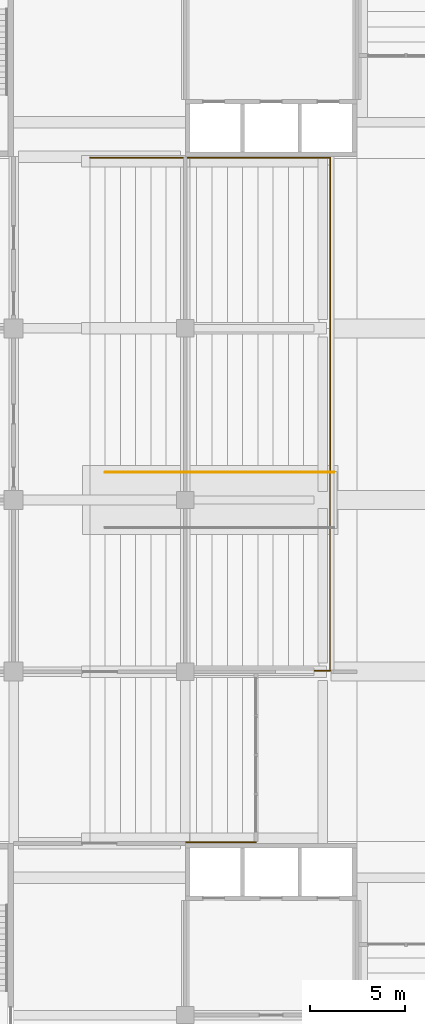
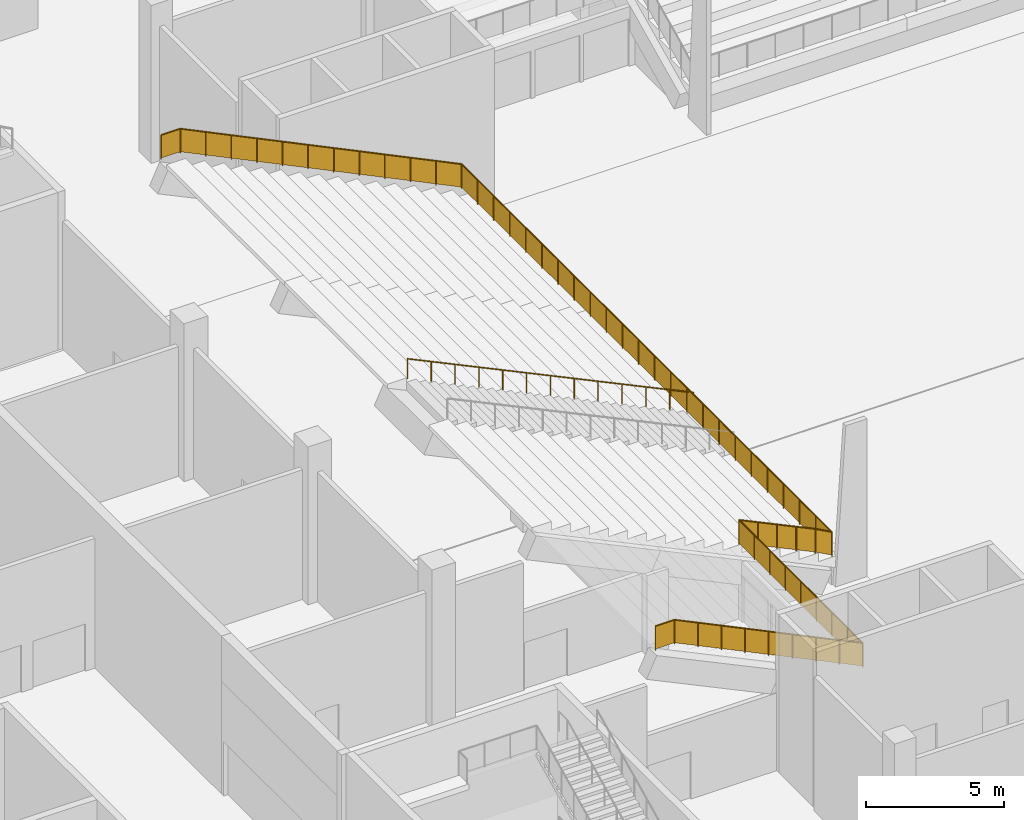
# One storey, part 66 of 92: 2 railings.
"""IFC4 building model written with IfcOpenShell, lengths in metres."""

from ifc_helpers import new_model, si_unit, direction, frame, origin, origin_2d, place, context, subcontext, project, spatial, polyline, circle, outline, extrude, material, type_object, element, save


model = new_model("IFC4")

# Units and contexts
model_context = context("Model", 3, precision=1e-05, world=origin(), true_north=direction((0.0, 1.0)))
body_context = subcontext(model_context, "Body", "Model", "MODEL_VIEW")
ifc_project = project(units=[si_unit("LENGTHUNIT", "METRE"), si_unit("AREAUNIT", "SQUARE_METRE"), si_unit("VOLUMEUNIT", "CUBIC_METRE"), si_unit("PLANEANGLEUNIT", "RADIAN"), si_unit("MASSUNIT", "GRAM", prefix="KILO")], contexts=[model_context])

# Site, building, storey
site_placement = place(None, origin())
site = spatial("IfcSite", under=ifc_project, at=site_placement, CompositionType="ELEMENT")
building_placement = place(site_placement, origin())
building = spatial("IfcBuilding", under=site, at=building_placement, Name="Silverbay Arena", CompositionType="ELEMENT")
storey_placement = place(building_placement, origin())
storey = spatial("IfcBuildingStorey", under=building, at=storey_placement, Name="L00", CompositionType="ELEMENT", Elevation=0.0)

# Railings
ifc_material_1 = material(Name="Stainless steel", Category="steel")
railing_type_1 = type_object("IfcRailingType", Name="Crowd barrier 1100", PredefinedType="GUARDRAIL", material=ifc_material_1)
railing_1_placement = place(storey_placement, frame((85.0, 63.050048828125, 7.0)))
element("IfcRailing", 1, at=railing_1_placement, inside=storey, type_object=railing_type_1, Name="Crowd barrier West stand lower tier", PredefinedType="GUARDRAIL", context=body_context, shape_type="SweptSolid", body=[
    extrude(circle(Radius=0.02392578125, at=origin_2d()), frame((0.0, 0.0, 1.076171875), z_axis=(1.0, 0.0, 0.0), x_axis=(0.0, 1.0, 0.0)), (0.0, 0.0, 1.0), 0.800048828125),
    extrude(outline(polyline([(-0.008056640625, 0.050048828125), (0.80810546875, 0.050048828125), (0.80810546875, 1.052978515625), (-0.008056640625, 1.052978515625), (-0.008056640625, 0.050048828125)])), frame((0.0, 0.0029296875, 0.0), z_axis=(0.0, -1.0, 0.0), x_axis=(1.0, 0.0, 0.0)), (0.0, 0.0, 1.0), 0.006103515625),
    extrude(circle(Radius=0.02392578125, at=origin_2d()), frame((0.800048828125, 0.0, 1.076171875), z_axis=(0.901162472731, 0.0, -0.433481484889), x_axis=(0.0, 1.0, 0.0)), (0.0, 0.0, 1.0), 8.766357421875),
    extrude(outline(polyline([(-0.008056640625, 0.053955078125), (0.99560546875, -0.428955078125), (0.99560546875, 0.57421875), (-0.008056640625, 1.056884765625), (-0.008056640625, 0.053955078125)])), frame((0.800048828125, 0.0029296875, 0.0), z_axis=(0.0, -1.0, 0.0), x_axis=(1.0, 0.0, 0.0)), (0.0, 0.0, 1.0), 0.006103515625),
    extrude(outline(polyline([(-0.008056640625, -0.421142578125), (0.99560546875, -0.90380859375), (0.99560546875, 0.09912109375), (-0.008056640625, 0.581787109375), (-0.008056640625, -0.421142578125)])), frame((1.78759765625, 0.0029296875, 0.0), z_axis=(0.0, -1.0, 0.0), x_axis=(1.0, 0.0, 0.0)), (0.0, 0.0, 1.0), 0.006103515625),
    extrude(outline(polyline([(-0.008056640625, -0.896240234375), (0.99560546875, -1.37890625), (0.99560546875, -0.3759765625), (-0.008056640625, 0.10693359375), (-0.008056640625, -0.896240234375)])), frame((2.77490234375, 0.0029296875, 0.0), z_axis=(0.0, -1.0, 0.0), x_axis=(1.0, 0.0, 0.0)), (0.0, 0.0, 1.0), 0.006103515625),
    extrude(outline(polyline([(-0.008056640625, -1.37109375), (0.99560546875, -1.853759765625), (0.99560546875, -0.850830078125), (-0.008056640625, -0.3681640625), (-0.008056640625, -1.37109375)])), frame((3.762451171875, 0.0029296875, 0.0), z_axis=(0.0, -1.0, 0.0), x_axis=(1.0, 0.0, 0.0)), (0.0, 0.0, 1.0), 0.006103515625),
    extrude(outline(polyline([(-0.008056640625, -1.84619140625), (0.99560546875, -2.328857421875), (0.99560546875, -1.325927734375), (-0.008056640625, -0.84326171875), (-0.008056640625, -1.84619140625)])), frame((4.75, 0.0029296875, 0.0), z_axis=(0.0, -1.0, 0.0), x_axis=(1.0, 0.0, 0.0)), (0.0, 0.0, 1.0), 0.006103515625),
    extrude(outline(polyline([(-0.008056640625, -2.3212890625), (0.99560546875, -2.803955078125), (0.99560546875, -1.80078125), (-0.008056640625, -1.318115234375), (-0.008056640625, -2.3212890625)])), frame((5.737548828125, 0.0029296875, 0.0), z_axis=(0.0, -1.0, 0.0), x_axis=(1.0, 0.0, 0.0)), (0.0, 0.0, 1.0), 0.006103515625),
    extrude(outline(polyline([(-0.008056640625, -2.796142578125), (0.99560546875, -3.27880859375), (0.99560546875, -2.27587890625), (-0.008056640625, -1.793212890625), (-0.008056640625, -2.796142578125)])), frame((6.72509765625, 0.0029296875, 0.0), z_axis=(0.0, -1.0, 0.0), x_axis=(1.0, 0.0, 0.0)), (0.0, 0.0, 1.0), 0.006103515625),
    extrude(outline(polyline([(-0.008056640625, -3.271240234375), (0.99560546875, -3.75390625), (0.99560546875, -2.7509765625), (-0.008056640625, -2.268310546875), (-0.008056640625, -3.271240234375)])), frame((7.71240234375, 0.0029296875, 0.0), z_axis=(0.0, -1.0, 0.0), x_axis=(1.0, 0.0, 0.0)), (0.0, 0.0, 1.0), 0.006103515625),
    extrude(circle(Radius=0.02392578125, at=origin_2d()), frame((8.699951171875, 0.0, -2.72412109375), z_axis=(0.0, 1.0, 0.0), x_axis=(-1.0, 0.0, 0.0)), (0.0, 0.0, 1.0), 9.0),
    extrude(outline(polyline([(-0.008056640625, -3.75), (1.133056640625, -3.75), (1.133056640625, -2.7470703125), (-0.008056640625, -2.7470703125), (-0.008056640625, -3.75)])), frame((8.697021484375, 0.0, 0.0), z_axis=(1.0, 0.0, 0.0), x_axis=(0.0, 1.0, 0.0)), (0.0, 0.0, 1.0), 0.006103515625),
    extrude(outline(polyline([(-0.008056640625, -3.75), (1.133056640625, -3.75), (1.133056640625, -2.7470703125), (-0.008056640625, -2.7470703125), (-0.008056640625, -3.75)])), frame((8.697021484375, 1.125, 0.0), z_axis=(1.0, 0.0, 0.0), x_axis=(0.0, 1.0, 0.0)), (0.0, 0.0, 1.0), 0.006103515625),
    extrude(outline(polyline([(-0.008056640625, -3.75), (1.133056640625, -3.75), (1.133056640625, -2.7470703125), (-0.008056640625, -2.7470703125), (-0.008056640625, -3.75)])), frame((8.697021484375, 2.25, 0.0), z_axis=(1.0, 0.0, 0.0), x_axis=(0.0, 1.0, 0.0)), (0.0, 0.0, 1.0), 0.006103515625),
    extrude(outline(polyline([(-0.008056640625, -3.75), (1.133056640625, -3.75), (1.133056640625, -2.7470703125), (-0.008056640625, -2.7470703125), (-0.008056640625, -3.75)])), frame((8.697021484375, 3.375, 0.0), z_axis=(1.0, 0.0, 0.0), x_axis=(0.0, 1.0, 0.0)), (0.0, 0.0, 1.0), 0.006103515625),
    extrude(outline(polyline([(-0.008056640625, -3.75), (1.133056640625, -3.75), (1.133056640625, -2.7470703125), (-0.008056640625, -2.7470703125), (-0.008056640625, -3.75)])), frame((8.697021484375, 4.5, 0.0), z_axis=(1.0, 0.0, 0.0), x_axis=(0.0, 1.0, 0.0)), (0.0, 0.0, 1.0), 0.006103515625),
    extrude(outline(polyline([(-0.008056640625, -3.75), (1.133056640625, -3.75), (1.133056640625, -2.7470703125), (-0.008056640625, -2.7470703125), (-0.008056640625, -3.75)])), frame((8.697021484375, 5.625, 0.0), z_axis=(1.0, 0.0, 0.0), x_axis=(0.0, 1.0, 0.0)), (0.0, 0.0, 1.0), 0.006103515625),
    extrude(outline(polyline([(-0.008056640625, -3.75), (1.133056640625, -3.75), (1.133056640625, -2.7470703125), (-0.008056640625, -2.7470703125), (-0.008056640625, -3.75)])), frame((8.697021484375, 6.75, 0.0), z_axis=(1.0, 0.0, 0.0), x_axis=(0.0, 1.0, 0.0)), (0.0, 0.0, 1.0), 0.006103515625),
    extrude(outline(polyline([(-0.008056640625, -3.75), (1.133056640625, -3.75), (1.133056640625, -2.7470703125), (-0.008056640625, -2.7470703125), (-0.008056640625, -3.75)])), frame((8.697021484375, 7.875, 0.0), z_axis=(1.0, 0.0, 0.0), x_axis=(0.0, 1.0, 0.0)), (0.0, 0.0, 1.0), 0.006103515625),
    extrude(circle(Radius=0.02392578125, at=origin_2d()), frame((8.699951171875, 9.0, -2.72412109375), z_axis=(0.903338924758, 0.0, -0.428927484566), x_axis=(0.0, 1.0, 0.0)), (0.0, 0.0, 1.0), 0.8857421875),
    extrude(outline(polyline([(-0.008056640625, -3.746337890625), (0.80810546875, -4.1337890625), (0.80810546875, -3.130615234375), (-0.008056640625, -2.7431640625), (-0.008056640625, -3.746337890625)])), frame((8.699951171875, 9.0029296875, 0.0), z_axis=(0.0, -1.0, 0.0), x_axis=(1.0, 0.0, 0.0)), (0.0, 0.0, 1.0), 0.006103515625),
    extrude(circle(Radius=0.02392578125, at=origin_2d()), frame((9.5, 9.0, -3.10400390625), z_axis=(0.903232100134, 0.0, -0.429152389353), x_axis=(0.0, 1.0, 0.0)), (0.0, 0.0, 1.0), 0.8857421875),
    extrude(outline(polyline([(-0.008056640625, -4.126220703125), (0.80810546875, -4.513916015625), (0.80810546875, -3.5107421875), (-0.008056640625, -3.123046875), (-0.008056640625, -4.126220703125)])), frame((9.5, 9.0029296875, 0.0), z_axis=(0.0, -1.0, 0.0), x_axis=(1.0, 0.0, 0.0)), (0.0, 0.0, 1.0), 0.006103515625),
    extrude(circle(Radius=0.02392578125, at=origin_2d()), frame((10.300048828125, 9.0, -3.48388671875), z_axis=(0.903338924758, 0.0, -0.428927484566), x_axis=(0.0, 1.0, 0.0)), (0.0, 0.0, 1.0), 0.8857421875),
    extrude(outline(polyline([(-0.008056640625, -4.50634765625), (0.80810546875, -4.893798828125), (0.80810546875, -3.890625), (-0.008056640625, -3.503173828125), (-0.008056640625, -4.50634765625)])), frame((10.300048828125, 9.0029296875, 0.0), z_axis=(0.0, -1.0, 0.0), x_axis=(1.0, 0.0, 0.0)), (0.0, 0.0, 1.0), 0.006103515625),
    extrude(circle(Radius=0.02392578125, at=origin_2d()), frame((11.10009765625, 9.0, -3.86376953125), z_axis=(0.903181318322, 0.0, -0.429259252939), x_axis=(0.0, 1.0, 0.0)), (0.0, 0.0, 1.0), 0.885498046875),
    extrude(outline(polyline([(-0.008056640625, -4.88623046875), (0.807861328125, -5.27392578125), (0.807861328125, -4.270751953125), (-0.008056640625, -3.883056640625), (-0.008056640625, -4.88623046875)])), frame((11.10009765625, 9.0029296875, 0.0), z_axis=(0.0, -1.0, 0.0), x_axis=(1.0, 0.0, 0.0)), (0.0, 0.0, 1.0), 0.006103515625),
    extrude(circle(Radius=0.02392578125, at=origin_2d()), frame((11.89990234375, 9.0, -4.244140625), z_axis=(0.878970893621, 0.0, -0.476875422062), x_axis=(0.0, 1.0, 0.0)), (0.0, 0.0, 1.0), 0.796630859375),
    extrude(outline(polyline([(-0.008056640625, -5.265625), (0.708251953125, -5.654296875), (0.708251953125, -4.6513671875), (-0.008056640625, -4.2626953125), (-0.008056640625, -5.265625)])), frame((11.89990234375, 9.0029296875, 0.0), z_axis=(0.0, -1.0, 0.0), x_axis=(1.0, 0.0, 0.0)), (0.0, 0.0, 1.0), 0.006103515625),
    extrude(circle(Radius=0.02392578125, at=origin_2d()), frame((12.60009765625, 9.0, -4.6240234375), z_axis=(0.0, 1.0, 0.0), x_axis=(-1.0, 0.0, 0.0)), (0.0, 0.0, 1.0), 26.89990234375),
    extrude(outline(polyline([(-0.008056640625, -5.64990234375), (1.177490234375, -5.64990234375), (1.177490234375, -4.64697265625), (-0.008056640625, -4.64697265625), (-0.008056640625, -5.64990234375)])), frame((12.59716796875, 9.0, 0.0), z_axis=(1.0, 0.0, 0.0), x_axis=(0.0, 1.0, 0.0)), (0.0, 0.0, 1.0), 0.006103515625),
    extrude(outline(polyline([(-0.008056640625, -5.64990234375), (1.177490234375, -5.64990234375), (1.177490234375, -4.64697265625), (-0.008056640625, -4.64697265625), (-0.008056640625, -5.64990234375)])), frame((12.59716796875, 10.169677734375, 0.0), z_axis=(1.0, 0.0, 0.0), x_axis=(0.0, 1.0, 0.0)), (0.0, 0.0, 1.0), 0.006103515625),
    extrude(outline(polyline([(-0.008056640625, -5.64990234375), (1.177490234375, -5.64990234375), (1.177490234375, -4.64697265625), (-0.008056640625, -4.64697265625), (-0.008056640625, -5.64990234375)])), frame((12.59716796875, 11.339111328125, 0.0), z_axis=(1.0, 0.0, 0.0), x_axis=(0.0, 1.0, 0.0)), (0.0, 0.0, 1.0), 0.006103515625),
    extrude(outline(polyline([(-0.008056640625, -5.64990234375), (1.177490234375, -5.64990234375), (1.177490234375, -4.64697265625), (-0.008056640625, -4.64697265625), (-0.008056640625, -5.64990234375)])), frame((12.59716796875, 12.5087890625, 0.0), z_axis=(1.0, 0.0, 0.0), x_axis=(0.0, 1.0, 0.0)), (0.0, 0.0, 1.0), 0.006103515625),
    extrude(outline(polyline([(-0.008056640625, -5.64990234375), (1.177490234375, -5.64990234375), (1.177490234375, -4.64697265625), (-0.008056640625, -4.64697265625), (-0.008056640625, -5.64990234375)])), frame((12.59716796875, 13.67822265625, 0.0), z_axis=(1.0, 0.0, 0.0), x_axis=(0.0, 1.0, 0.0)), (0.0, 0.0, 1.0), 0.006103515625),
    extrude(outline(polyline([(-0.008056640625, -5.64990234375), (1.177490234375, -5.64990234375), (1.177490234375, -4.64697265625), (-0.008056640625, -4.64697265625), (-0.008056640625, -5.64990234375)])), frame((12.59716796875, 14.847900390625, 0.0), z_axis=(1.0, 0.0, 0.0), x_axis=(0.0, 1.0, 0.0)), (0.0, 0.0, 1.0), 0.006103515625),
    extrude(outline(polyline([(-0.008056640625, -5.64990234375), (1.177490234375, -5.64990234375), (1.177490234375, -4.64697265625), (-0.008056640625, -4.64697265625), (-0.008056640625, -5.64990234375)])), frame((12.59716796875, 16.017333984375, 0.0), z_axis=(1.0, 0.0, 0.0), x_axis=(0.0, 1.0, 0.0)), (0.0, 0.0, 1.0), 0.006103515625),
    extrude(outline(polyline([(-0.008056640625, -5.64990234375), (1.177490234375, -5.64990234375), (1.177490234375, -4.64697265625), (-0.008056640625, -4.64697265625), (-0.008056640625, -5.64990234375)])), frame((12.59716796875, 17.18701171875, 0.0), z_axis=(1.0, 0.0, 0.0), x_axis=(0.0, 1.0, 0.0)), (0.0, 0.0, 1.0), 0.006103515625),
    extrude(outline(polyline([(-0.008056640625, -5.64990234375), (1.177490234375, -5.64990234375), (1.177490234375, -4.64697265625), (-0.008056640625, -4.64697265625), (-0.008056640625, -5.64990234375)])), frame((12.59716796875, 18.3564453125, 0.0), z_axis=(1.0, 0.0, 0.0), x_axis=(0.0, 1.0, 0.0)), (0.0, 0.0, 1.0), 0.006103515625),
    extrude(outline(polyline([(-0.008056640625, -5.64990234375), (1.177490234375, -5.64990234375), (1.177490234375, -4.64697265625), (-0.008056640625, -4.64697265625), (-0.008056640625, -5.64990234375)])), frame((12.59716796875, 19.526123046875, 0.0), z_axis=(1.0, 0.0, 0.0), x_axis=(0.0, 1.0, 0.0)), (0.0, 0.0, 1.0), 0.006103515625),
    extrude(outline(polyline([(-0.008056640625, -5.64990234375), (1.177490234375, -5.64990234375), (1.177490234375, -4.64697265625), (-0.008056640625, -4.64697265625), (-0.008056640625, -5.64990234375)])), frame((12.59716796875, 20.695556640625, 0.0), z_axis=(1.0, 0.0, 0.0), x_axis=(0.0, 1.0, 0.0)), (0.0, 0.0, 1.0), 0.006103515625),
    extrude(outline(polyline([(-0.008056640625, -5.64990234375), (1.177490234375, -5.64990234375), (1.177490234375, -4.64697265625), (-0.008056640625, -4.64697265625), (-0.008056640625, -5.64990234375)])), frame((12.59716796875, 21.865234375, 0.0), z_axis=(1.0, 0.0, 0.0), x_axis=(0.0, 1.0, 0.0)), (0.0, 0.0, 1.0), 0.006103515625),
    extrude(outline(polyline([(-0.008056640625, -5.64990234375), (1.177490234375, -5.64990234375), (1.177490234375, -4.64697265625), (-0.008056640625, -4.64697265625), (-0.008056640625, -5.64990234375)])), frame((12.59716796875, 23.03466796875, 0.0), z_axis=(1.0, 0.0, 0.0), x_axis=(0.0, 1.0, 0.0)), (0.0, 0.0, 1.0), 0.006103515625),
    extrude(outline(polyline([(-0.008056640625, -5.64990234375), (1.177490234375, -5.64990234375), (1.177490234375, -4.64697265625), (-0.008056640625, -4.64697265625), (-0.008056640625, -5.64990234375)])), frame((12.59716796875, 24.204345703125, 0.0), z_axis=(1.0, 0.0, 0.0), x_axis=(0.0, 1.0, 0.0)), (0.0, 0.0, 1.0), 0.006103515625),
    extrude(outline(polyline([(-0.008056640625, -5.64990234375), (1.177490234375, -5.64990234375), (1.177490234375, -4.64697265625), (-0.008056640625, -4.64697265625), (-0.008056640625, -5.64990234375)])), frame((12.59716796875, 25.373779296875, 0.0), z_axis=(1.0, 0.0, 0.0), x_axis=(0.0, 1.0, 0.0)), (0.0, 0.0, 1.0), 0.006103515625),
    extrude(outline(polyline([(-0.008056640625, -5.64990234375), (1.177490234375, -5.64990234375), (1.177490234375, -4.64697265625), (-0.008056640625, -4.64697265625), (-0.008056640625, -5.64990234375)])), frame((12.59716796875, 26.54345703125, 0.0), z_axis=(1.0, 0.0, 0.0), x_axis=(0.0, 1.0, 0.0)), (0.0, 0.0, 1.0), 0.006103515625),
    extrude(outline(polyline([(-0.008056640625, -5.64990234375), (1.177490234375, -5.64990234375), (1.177490234375, -4.64697265625), (-0.008056640625, -4.64697265625), (-0.008056640625, -5.64990234375)])), frame((12.59716796875, 27.712890625, 0.0), z_axis=(1.0, 0.0, 0.0), x_axis=(0.0, 1.0, 0.0)), (0.0, 0.0, 1.0), 0.006103515625),
    extrude(outline(polyline([(-0.008056640625, -5.64990234375), (1.177490234375, -5.64990234375), (1.177490234375, -4.64697265625), (-0.008056640625, -4.64697265625), (-0.008056640625, -5.64990234375)])), frame((12.59716796875, 28.882568359375, 0.0), z_axis=(1.0, 0.0, 0.0), x_axis=(0.0, 1.0, 0.0)), (0.0, 0.0, 1.0), 0.006103515625),
    extrude(outline(polyline([(-0.008056640625, -5.64990234375), (1.177490234375, -5.64990234375), (1.177490234375, -4.64697265625), (-0.008056640625, -4.64697265625), (-0.008056640625, -5.64990234375)])), frame((12.59716796875, 30.052001953125, 0.0), z_axis=(1.0, 0.0, 0.0), x_axis=(0.0, 1.0, 0.0)), (0.0, 0.0, 1.0), 0.006103515625),
    extrude(outline(polyline([(-0.008056640625, -5.64990234375), (1.177490234375, -5.64990234375), (1.177490234375, -4.64697265625), (-0.008056640625, -4.64697265625), (-0.008056640625, -5.64990234375)])), frame((12.59716796875, 31.2216796875, 0.0), z_axis=(1.0, 0.0, 0.0), x_axis=(0.0, 1.0, 0.0)), (0.0, 0.0, 1.0), 0.006103515625),
    extrude(outline(polyline([(-0.008056640625, -5.64990234375), (1.177490234375, -5.64990234375), (1.177490234375, -4.64697265625), (-0.008056640625, -4.64697265625), (-0.008056640625, -5.64990234375)])), frame((12.59716796875, 32.39111328125, 0.0), z_axis=(1.0, 0.0, 0.0), x_axis=(0.0, 1.0, 0.0)), (0.0, 0.0, 1.0), 0.006103515625),
    extrude(outline(polyline([(-0.008056640625, -5.64990234375), (1.177490234375, -5.64990234375), (1.177490234375, -4.64697265625), (-0.008056640625, -4.64697265625), (-0.008056640625, -5.64990234375)])), frame((12.59716796875, 33.560791015625, 0.0), z_axis=(1.0, 0.0, 0.0), x_axis=(0.0, 1.0, 0.0)), (0.0, 0.0, 1.0), 0.006103515625),
    extrude(outline(polyline([(-0.008056640625, -5.64990234375), (1.177490234375, -5.64990234375), (1.177490234375, -4.64697265625), (-0.008056640625, -4.64697265625), (-0.008056640625, -5.64990234375)])), frame((12.59716796875, 34.730224609375, 0.0), z_axis=(1.0, 0.0, 0.0), x_axis=(0.0, 1.0, 0.0)), (0.0, 0.0, 1.0), 0.006103515625),
    extrude(circle(Radius=0.02392578125, at=origin_2d()), frame((12.60009765625, 35.89990234375, -4.6240234375), z_axis=(-0.900450754244, 0.0, 0.434957974041), x_axis=(0.0, -1.0, 0.0)), (0.0, 0.0, 1.0), 13.1044921875),
    extrude(outline(polyline([(-0.008056640625, -5.65380859375), (1.080810546875, -5.1279296875), (1.080810546875, -4.125), (-0.008056640625, -4.65087890625), (-0.008056640625, -5.65380859375)])), frame((12.60009765625, 35.89697265625, 0.0), z_axis=(0.0, 1.0, 0.0), x_axis=(-1.0, 0.0, 0.0)), (0.0, 0.0, 1.0), 0.006103515625),
    extrude(outline(polyline([(-0.008056640625, -5.1357421875), (1.080810546875, -4.609619140625), (1.080810546875, -3.606689453125), (-0.008056640625, -4.132568359375), (-0.008056640625, -5.1357421875)])), frame((11.52734375, 35.89697265625, 0.0), z_axis=(0.0, 1.0, 0.0), x_axis=(-1.0, 0.0, 0.0)), (0.0, 0.0, 1.0), 0.006103515625),
    extrude(outline(polyline([(-0.008056640625, -4.617431640625), (1.080810546875, -4.091552734375), (1.080810546875, -3.088623046875), (-0.008056640625, -3.614501953125), (-0.008056640625, -4.617431640625)])), frame((10.45458984375, 35.89697265625, 0.0), z_axis=(0.0, 1.0, 0.0), x_axis=(-1.0, 0.0, 0.0)), (0.0, 0.0, 1.0), 0.006103515625),
    extrude(outline(polyline([(-0.008056640625, -4.099365234375), (1.080810546875, -3.573486328125), (1.080810546875, -2.5703125), (-0.008056640625, -3.09619140625), (-0.008056640625, -4.099365234375)])), frame((9.3818359375, 35.89697265625, 0.0), z_axis=(0.0, 1.0, 0.0), x_axis=(-1.0, 0.0, 0.0)), (0.0, 0.0, 1.0), 0.006103515625),
    extrude(outline(polyline([(-0.008056640625, -3.5810546875), (1.080810546875, -3.05517578125), (1.080810546875, -2.05224609375), (-0.008056640625, -2.578125), (-0.008056640625, -3.5810546875)])), frame((8.30908203125, 35.89697265625, 0.0), z_axis=(0.0, 1.0, 0.0), x_axis=(-1.0, 0.0, 0.0)), (0.0, 0.0, 1.0), 0.006103515625),
    extrude(outline(polyline([(-0.008056640625, -3.06298828125), (1.080810546875, -2.537109375), (1.080810546875, -1.533935546875), (-0.008056640625, -2.059814453125), (-0.008056640625, -3.06298828125)])), frame((7.236328125, 35.89697265625, 0.0), z_axis=(0.0, 1.0, 0.0), x_axis=(-1.0, 0.0, 0.0)), (0.0, 0.0, 1.0), 0.006103515625),
    extrude(outline(polyline([(-0.008056640625, -2.544677734375), (1.080810546875, -2.018798828125), (1.080810546875, -1.015869140625), (-0.008056640625, -1.541748046875), (-0.008056640625, -2.544677734375)])), frame((6.163818359375, 35.89697265625, 0.0), z_axis=(0.0, 1.0, 0.0), x_axis=(-1.0, 0.0, 0.0)), (0.0, 0.0, 1.0), 0.006103515625),
    extrude(outline(polyline([(-0.008056640625, -2.026611328125), (1.080810546875, -1.500732421875), (1.080810546875, -0.49755859375), (-0.008056640625, -1.023681640625), (-0.008056640625, -2.026611328125)])), frame((5.091064453125, 35.89697265625, 0.0), z_axis=(0.0, 1.0, 0.0), x_axis=(-1.0, 0.0, 0.0)), (0.0, 0.0, 1.0), 0.006103515625),
    extrude(outline(polyline([(-0.008056640625, -1.50830078125), (1.080810546875, -0.982421875), (1.080810546875, 0.0205078125), (-0.008056640625, -0.50537109375), (-0.008056640625, -1.50830078125)])), frame((4.018310546875, 35.89697265625, 0.0), z_axis=(0.0, 1.0, 0.0), x_axis=(-1.0, 0.0, 0.0)), (0.0, 0.0, 1.0), 0.006103515625),
    extrude(outline(polyline([(-0.008056640625, -0.990234375), (1.080810546875, -0.46435546875), (1.080810546875, 0.53857421875), (-0.008056640625, 0.0126953125), (-0.008056640625, -0.990234375)])), frame((2.945556640625, 35.89697265625, 0.0), z_axis=(0.0, 1.0, 0.0), x_axis=(-1.0, 0.0, 0.0)), (0.0, 0.0, 1.0), 0.006103515625),
    extrude(outline(polyline([(-0.008056640625, -0.471923828125), (1.080810546875, 0.053955078125), (1.080810546875, 1.056884765625), (-0.008056640625, 0.531005859375), (-0.008056640625, -0.471923828125)])), frame((1.872802734375, 35.89697265625, 0.0), z_axis=(0.0, 1.0, 0.0), x_axis=(-1.0, 0.0, 0.0)), (0.0, 0.0, 1.0), 0.006103515625),
    extrude(circle(Radius=0.02392578125, at=origin_2d()), frame((0.800048828125, 35.89990234375, 1.076171875), z_axis=(-1.0, 0.0, 0.0), x_axis=(0.0, -1.0, 0.0)), (0.0, 0.0, 1.0), 0.800048828125),
    extrude(outline(polyline([(-0.008056640625, 0.050048828125), (0.80810546875, 0.050048828125), (0.80810546875, 1.052978515625), (-0.008056640625, 1.052978515625), (-0.008056640625, 0.050048828125)])), frame((0.800048828125, 35.89697265625, 0.0), z_axis=(0.0, 1.0, 0.0), x_axis=(-1.0, 0.0, 0.0)), (0.0, 0.0, 1.0), 0.006103515625),
    extrude(circle(Radius=0.02099609375, at=origin_2d()), origin(), (0.0, 0.0, 1.0), 1.052001953125),
    extrude(circle(Radius=0.02099609375, at=origin_2d()), frame((0.800048828125, 0.0, 0.0)), (0.0, 0.0, 1.0), 1.052001953125),
    extrude(circle(Radius=0.02099609375, at=origin_2d()), frame((1.78759765625, 0.0, -0.47509765625)), (0.0, 0.0, 1.0), 1.052001953125),
    extrude(circle(Radius=0.02099609375, at=origin_2d()), frame((2.77490234375, 0.0, -0.949951171875)), (0.0, 0.0, 1.0), 1.052001953125),
    extrude(circle(Radius=0.02099609375, at=origin_2d()), frame((3.762451171875, 0.0, -1.425048828125)), (0.0, 0.0, 1.0), 1.052001953125),
    extrude(circle(Radius=0.02099609375, at=origin_2d()), frame((4.75, 0.0, -1.89990234375)), (0.0, 0.0, 1.0), 1.052001953125),
    extrude(circle(Radius=0.02099609375, at=origin_2d()), frame((5.737548828125, 0.0, -2.375)), (0.0, 0.0, 1.0), 1.052001953125),
    extrude(circle(Radius=0.02099609375, at=origin_2d()), frame((6.72509765625, 0.0, -2.85009765625)), (0.0, 0.0, 1.0), 1.052001953125),
    extrude(circle(Radius=0.02099609375, at=origin_2d()), frame((7.71240234375, 0.0, -3.324951171875)), (0.0, 0.0, 1.0), 1.052001953125),
    extrude(circle(Radius=0.02099609375, at=origin_2d()), frame((8.699951171875, 0.0, -3.800048828125)), (0.0, 0.0, 1.0), 1.052001953125),
    extrude(circle(Radius=0.02099609375, at=origin_2d()), frame((8.699951171875, 1.125, -3.800048828125)), (0.0, 0.0, 1.0), 1.052001953125),
    extrude(circle(Radius=0.02099609375, at=origin_2d()), frame((8.699951171875, 2.25, -3.800048828125)), (0.0, 0.0, 1.0), 1.052001953125),
    extrude(circle(Radius=0.02099609375, at=origin_2d()), frame((8.699951171875, 3.375, -3.800048828125)), (0.0, 0.0, 1.0), 1.052001953125),
    extrude(circle(Radius=0.02099609375, at=origin_2d()), frame((8.699951171875, 4.5, -3.800048828125)), (0.0, 0.0, 1.0), 1.052001953125),
    extrude(circle(Radius=0.02099609375, at=origin_2d()), frame((8.699951171875, 5.625, -3.800048828125)), (0.0, 0.0, 1.0), 1.052001953125),
    extrude(circle(Radius=0.02099609375, at=origin_2d()), frame((8.699951171875, 6.75, -3.800048828125)), (0.0, 0.0, 1.0), 1.052001953125),
    extrude(circle(Radius=0.02099609375, at=origin_2d()), frame((8.699951171875, 7.875, -3.800048828125)), (0.0, 0.0, 1.0), 1.052001953125),
    extrude(circle(Radius=0.02099609375, at=origin_2d()), frame((8.699951171875, 9.0, -3.800048828125)), (0.0, 0.0, 1.0), 1.052001953125),
    extrude(circle(Radius=0.02099609375, at=origin_2d()), frame((9.5, 9.0, -4.179931640625)), (0.0, 0.0, 1.0), 1.052001953125),
    extrude(circle(Radius=0.02099609375, at=origin_2d()), frame((10.300048828125, 9.0, -4.56005859375)), (0.0, 0.0, 1.0), 1.052001953125),
    extrude(circle(Radius=0.02099609375, at=origin_2d()), frame((11.10009765625, 9.0, -4.93994140625)), (0.0, 0.0, 1.0), 1.052001953125),
    extrude(circle(Radius=0.02099609375, at=origin_2d()), frame((11.89990234375, 9.0, -5.320068359375)), (0.0, 0.0, 1.0), 1.052001953125),
    extrude(circle(Radius=0.02099609375, at=origin_2d()), frame((12.60009765625, 9.0, -5.699951171875)), (0.0, 0.0, 1.0), 1.052001953125),
    extrude(circle(Radius=0.02099609375, at=origin_2d()), frame((12.60009765625, 10.169677734375, -5.699951171875)), (0.0, 0.0, 1.0), 1.052001953125),
    extrude(circle(Radius=0.02099609375, at=origin_2d()), frame((12.60009765625, 11.339111328125, -5.699951171875)), (0.0, 0.0, 1.0), 1.052001953125),
    extrude(circle(Radius=0.02099609375, at=origin_2d()), frame((12.60009765625, 12.5087890625, -5.699951171875)), (0.0, 0.0, 1.0), 1.052001953125),
    extrude(circle(Radius=0.02099609375, at=origin_2d()), frame((12.60009765625, 13.67822265625, -5.699951171875)), (0.0, 0.0, 1.0), 1.052001953125),
    extrude(circle(Radius=0.02099609375, at=origin_2d()), frame((12.60009765625, 14.847900390625, -5.699951171875)), (0.0, 0.0, 1.0), 1.052001953125),
    extrude(circle(Radius=0.02099609375, at=origin_2d()), frame((12.60009765625, 16.017333984375, -5.699951171875)), (0.0, 0.0, 1.0), 1.052001953125),
    extrude(circle(Radius=0.02099609375, at=origin_2d()), frame((12.60009765625, 17.18701171875, -5.699951171875)), (0.0, 0.0, 1.0), 1.052001953125),
    extrude(circle(Radius=0.02099609375, at=origin_2d()), frame((12.60009765625, 18.3564453125, -5.699951171875)), (0.0, 0.0, 1.0), 1.052001953125),
    extrude(circle(Radius=0.02099609375, at=origin_2d()), frame((12.60009765625, 19.526123046875, -5.699951171875)), (0.0, 0.0, 1.0), 1.052001953125),
    extrude(circle(Radius=0.02099609375, at=origin_2d()), frame((12.60009765625, 20.695556640625, -5.699951171875)), (0.0, 0.0, 1.0), 1.052001953125),
    extrude(circle(Radius=0.02099609375, at=origin_2d()), frame((12.60009765625, 21.865234375, -5.699951171875)), (0.0, 0.0, 1.0), 1.052001953125),
    extrude(circle(Radius=0.02099609375, at=origin_2d()), frame((12.60009765625, 23.03466796875, -5.699951171875)), (0.0, 0.0, 1.0), 1.052001953125),
    extrude(circle(Radius=0.02099609375, at=origin_2d()), frame((12.60009765625, 24.204345703125, -5.699951171875)), (0.0, 0.0, 1.0), 1.052001953125),
    extrude(circle(Radius=0.02099609375, at=origin_2d()), frame((12.60009765625, 25.373779296875, -5.699951171875)), (0.0, 0.0, 1.0), 1.052001953125),
    extrude(circle(Radius=0.02099609375, at=origin_2d()), frame((12.60009765625, 26.54345703125, -5.699951171875)), (0.0, 0.0, 1.0), 1.052001953125),
    extrude(circle(Radius=0.02099609375, at=origin_2d()), frame((12.60009765625, 27.712890625, -5.699951171875)), (0.0, 0.0, 1.0), 1.052001953125),
    extrude(circle(Radius=0.02099609375, at=origin_2d()), frame((12.60009765625, 28.882568359375, -5.699951171875)), (0.0, 0.0, 1.0), 1.052001953125),
    extrude(circle(Radius=0.02099609375, at=origin_2d()), frame((12.60009765625, 30.052001953125, -5.699951171875)), (0.0, 0.0, 1.0), 1.052001953125),
    extrude(circle(Radius=0.02099609375, at=origin_2d()), frame((12.60009765625, 31.2216796875, -5.699951171875)), (0.0, 0.0, 1.0), 1.052001953125),
    extrude(circle(Radius=0.02099609375, at=origin_2d()), frame((12.60009765625, 32.39111328125, -5.699951171875)), (0.0, 0.0, 1.0), 1.052001953125),
    extrude(circle(Radius=0.02099609375, at=origin_2d()), frame((12.60009765625, 33.560791015625, -5.699951171875)), (0.0, 0.0, 1.0), 1.052001953125),
    extrude(circle(Radius=0.02099609375, at=origin_2d()), frame((12.60009765625, 34.730224609375, -5.699951171875)), (0.0, 0.0, 1.0), 1.052001953125),
    extrude(circle(Radius=0.02099609375, at=origin_2d()), frame((12.60009765625, 35.89990234375, -5.699951171875)), (0.0, 0.0, 1.0), 1.052001953125),
    extrude(circle(Radius=0.02099609375, at=origin_2d()), frame((11.52734375, 35.89990234375, -5.181884765625)), (0.0, 0.0, 1.0), 1.052001953125),
    extrude(circle(Radius=0.02099609375, at=origin_2d()), frame((10.45458984375, 35.89990234375, -4.66357421875)), (0.0, 0.0, 1.0), 1.052001953125),
    extrude(circle(Radius=0.02099609375, at=origin_2d()), frame((9.3818359375, 35.89990234375, -4.1455078125)), (0.0, 0.0, 1.0), 1.052001953125),
    extrude(circle(Radius=0.02099609375, at=origin_2d()), frame((8.30908203125, 35.89990234375, -3.627197265625)), (0.0, 0.0, 1.0), 1.052001953125),
    extrude(circle(Radius=0.02099609375, at=origin_2d()), frame((7.236328125, 35.89990234375, -3.109130859375)), (0.0, 0.0, 1.0), 1.052001953125),
    extrude(circle(Radius=0.02099609375, at=origin_2d()), frame((6.163818359375, 35.89990234375, -2.5908203125)), (0.0, 0.0, 1.0), 1.052001953125),
    extrude(circle(Radius=0.02099609375, at=origin_2d()), frame((5.091064453125, 35.89990234375, -2.07275390625)), (0.0, 0.0, 1.0), 1.052001953125),
    extrude(circle(Radius=0.02099609375, at=origin_2d()), frame((4.018310546875, 35.89990234375, -1.554443359375)), (0.0, 0.0, 1.0), 1.052001953125),
    extrude(circle(Radius=0.02099609375, at=origin_2d()), frame((2.945556640625, 35.89990234375, -1.036376953125)), (0.0, 0.0, 1.0), 1.052001953125),
    extrude(circle(Radius=0.02099609375, at=origin_2d()), frame((1.872802734375, 35.89990234375, -0.51806640625)), (0.0, 0.0, 1.0), 1.052001953125),
    extrude(circle(Radius=0.02099609375, at=origin_2d()), frame((0.800048828125, 35.89990234375, 0.0)), (0.0, 0.0, 1.0), 1.052001953125),
    extrude(circle(Radius=0.02099609375, at=origin_2d()), frame((0.0, 35.89990234375, 0.0)), (0.0, 0.0, 1.0), 1.052001953125),
])
ifc_material_2 = material(Name="Stainless steel", Category="steel")
railing_type_2 = type_object("IfcRailingType", Name="Stair handrail 900", PredefinedType="HANDRAIL", material=ifc_material_2)
railing_2_placement = place(storey_placement, frame((97.800048828125, 82.449951171875, 1.300048828125)))
element("IfcRailing", 2, at=railing_2_placement, inside=storey, type_object=railing_type_2, Name="Vomitory stair V09 handrail right", PredefinedType="HANDRAIL", context=body_context, shape_type="SweptSolid", body=[
    extrude(circle(Radius=0.02392578125, at=origin_2d()), frame((0.0, 0.0, 0.8759765625), z_axis=(-0.903278928798, 0.0, 0.429053815727), x_axis=(0.0, -1.0, 0.0)), (0.0, 0.0, 1.0), 13.284912109375),
    extrude(circle(Radius=0.02099609375, at=origin_2d()), origin(), (0.0, 0.0, 1.0), 0.851806640625),
    extrude(circle(Radius=0.02099609375, at=origin_2d()), frame((-1.0, 0.0, 0.47509765625)), (0.0, 0.0, 1.0), 0.851806640625),
    extrude(circle(Radius=0.02099609375, at=origin_2d()), frame((-2.0, 0.0, 0.949951171875)), (0.0, 0.0, 1.0), 0.851806640625),
    extrude(circle(Radius=0.02099609375, at=origin_2d()), frame((-3.0, 0.0, 1.425048828125)), (0.0, 0.0, 1.0), 0.851806640625),
    extrude(circle(Radius=0.02099609375, at=origin_2d()), frame((-4.0, 0.0, 1.89990234375)), (0.0, 0.0, 1.0), 0.851806640625),
    extrude(circle(Radius=0.02099609375, at=origin_2d()), frame((-5.0, 0.0, 2.375)), (0.0, 0.0, 1.0), 0.851806640625),
    extrude(circle(Radius=0.02099609375, at=origin_2d()), frame((-6.0, 0.0, 2.85009765625)), (0.0, 0.0, 1.0), 0.851806640625),
    extrude(circle(Radius=0.02099609375, at=origin_2d()), frame((-7.0, 0.0, 3.324951171875)), (0.0, 0.0, 1.0), 0.851806640625),
    extrude(circle(Radius=0.02099609375, at=origin_2d()), frame((-8.0, 0.0, 3.800048828125)), (0.0, 0.0, 1.0), 0.851806640625),
    extrude(circle(Radius=0.02099609375, at=origin_2d()), frame((-9.0, 0.0, 4.27490234375)), (0.0, 0.0, 1.0), 0.851806640625),
    extrude(circle(Radius=0.02099609375, at=origin_2d()), frame((-10.0, 0.0, 4.75)), (0.0, 0.0, 1.0), 0.851806640625),
    extrude(circle(Radius=0.02099609375, at=origin_2d()), frame((-11.0, 0.0, 5.224853515625)), (0.0, 0.0, 1.0), 0.851806640625),
    extrude(circle(Radius=0.02099609375, at=origin_2d()), frame((-12.0, 0.0, 5.699951171875)), (0.0, 0.0, 1.0), 0.851806640625),
])

save(model, "model.ifc")
